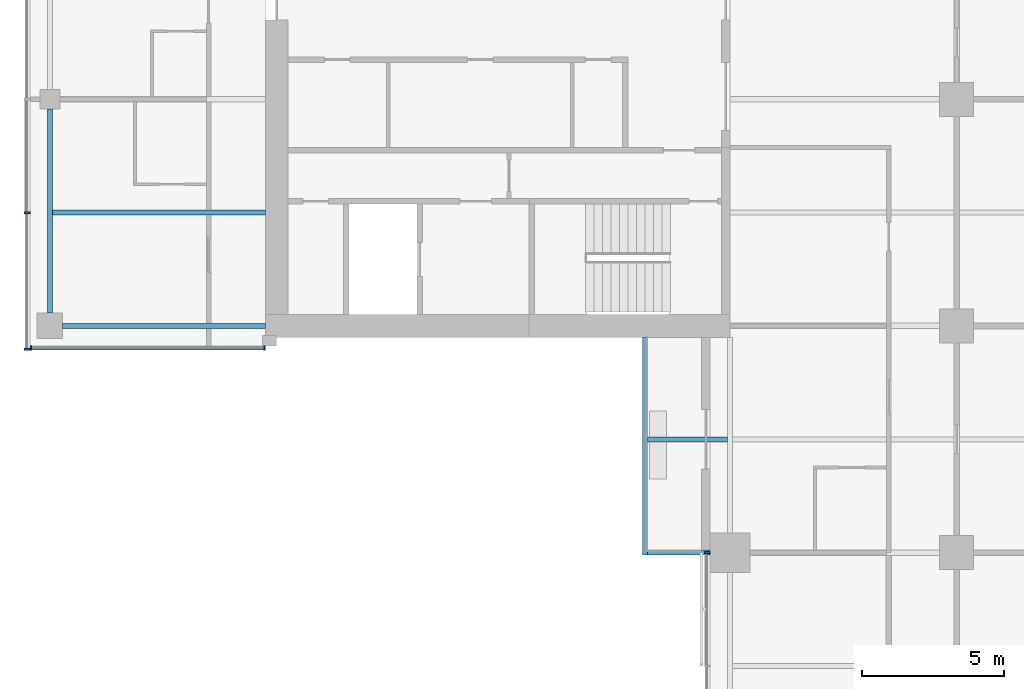
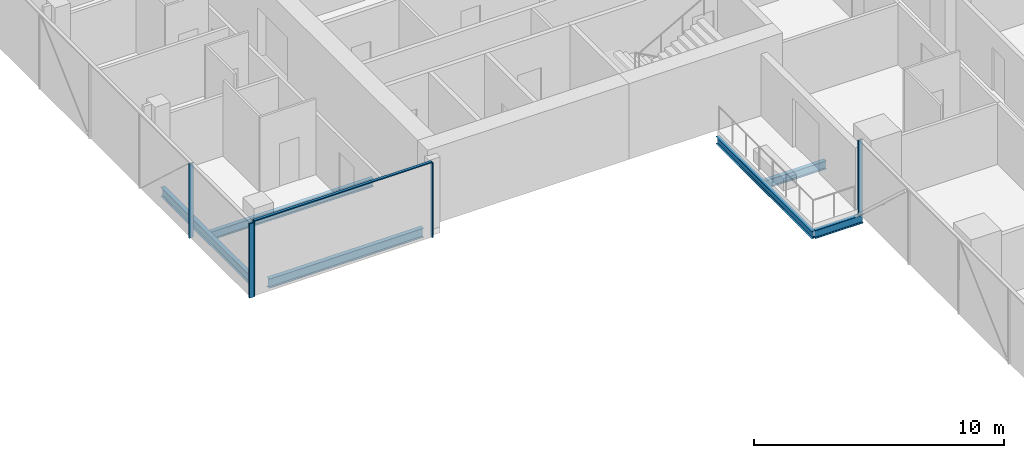
# One storey, part 3 of 27: 6 beams, 6 members, 3 elements without a shape of their own.
"""IFC4 building model written with IfcOpenShell, lengths in metres."""

from ifc_helpers import new_model, si_unit, direction, frame, origin, origin_2d, place, context, subcontext, project, spatial, rectangle, i_section, extrude, material, material_profile, profile_set, type_object, element, aggregate, save


model = new_model("IFC4")

# Units and contexts
model_context = context("Model", 3, precision=1e-05, world=origin(), true_north=direction((0.0, 1.0)))
body_context = subcontext(model_context, "Body", "Model", "MODEL_VIEW")
ifc_project = project(units=[si_unit("LENGTHUNIT", "METRE"), si_unit("AREAUNIT", "SQUARE_METRE"), si_unit("VOLUMEUNIT", "CUBIC_METRE"), si_unit("PLANEANGLEUNIT", "RADIAN"), si_unit("MASSUNIT", "GRAM", prefix="KILO")], contexts=[model_context])

# Site, building, storey
site_placement = place(None, origin())
site = spatial("IfcSite", under=ifc_project, at=site_placement, CompositionType="ELEMENT")
building_placement = place(site_placement, origin())
building = spatial("IfcBuilding", under=site, at=building_placement, Name="Crosswind Convention Tower", CompositionType="ELEMENT")
storey_placement = place(building_placement, frame((0.0, 0.0, 86.800048828125)))
storey = spatial("IfcBuildingStorey", under=building, at=storey_placement, Name="L16", CompositionType="ELEMENT", Elevation=86.800048828125)

# Beams
ifc_material_1 = material(Name="Steel S355", Category="steel")
ifc_material_profile_1 = material_profile(ifc_material_1, i_section(OverallWidth=0.177734375, OverallDepth=0.406494140625, WebThickness=0.0078125, FlangeThickness=0.0126953125, FilletRadius=0.01025390625, at=origin_2d()), Name="UB 406x178x60")
ifc_profile_set_1 = profile_set([ifc_material_profile_1], Name="Steel S355")
beam_type_1 = type_object("IfcBeamType", Name="Balcony cantilever UB 406x178x60", PredefinedType="BEAM", material=ifc_profile_set_1)
beam_1_placement = place(storey_placement, frame((112.90478515625, 84.0, -0.483154296875), z_axis=(-1.0, 0.0, 0.0), x_axis=(0.0, -1.0, 0.0)))
element("IfcBeam", 1, at=beam_1_placement, inside=storey, type_object=beam_type_1, Name="B35 L16 balcony cantilever SW 7", PredefinedType="BEAM", context=body_context, shape_type="SweptSolid", body=[
    extrude(i_section(OverallWidth=0.177734375, OverallDepth=0.406494140625, WebThickness=0.0078125, FlangeThickness=0.0126953125, FilletRadius=0.01025390625, at=origin_2d()), origin(), (0.0, 0.0, 1.0), 2.8193359375),
])
beam_2_placement = place(storey_placement, frame((112.300048828125, 80.0, -0.483154296875), z_axis=(-1.0, 0.0, 0.0), x_axis=(0.0, -1.0, 0.0)))
element("IfcBeam", 2, at=beam_2_placement, inside=storey, type_object=beam_type_1, Name="B35 L16 balcony cantilever SW 8", PredefinedType="BEAM", context=body_context, shape_type="SweptSolid", body=[
    extrude(i_section(OverallWidth=0.177734375, OverallDepth=0.406494140625, WebThickness=0.0078125, FlangeThickness=0.0126953125, FilletRadius=0.01025390625, at=origin_2d()), origin(), (0.0, 0.0, 1.0), 2.214599609375),
])
ifc_material_profile_2 = material_profile(ifc_material_1, i_section(OverallWidth=0.1708984375, OverallDepth=0.35205078125, WebThickness=0.0068359375, FlangeThickness=0.009765625, FilletRadius=0.01025390625, at=origin_2d()), Name="UB 356x171x45")
ifc_profile_set_2 = profile_set([ifc_material_profile_2], Name="Steel S355")
beam_type_2 = type_object("IfcBeamType", Name="Balcony edge beam UB 356x171x45", PredefinedType="BEAM", material=ifc_profile_set_2)
beam_3_placement = place(storey_placement, frame((110.0, 87.60009765625, -0.4560546875), z_axis=(0.0, -1.0, 0.0), x_axis=(1.0, 0.0, 0.0)))
element("IfcBeam", 3, at=beam_3_placement, inside=storey, type_object=beam_type_2, Name="B37 L16 balcony edge beam SW 9", PredefinedType="BEAM", context=body_context, shape_type="SweptSolid", body=[
    extrude(i_section(OverallWidth=0.1708984375, OverallDepth=0.35205078125, WebThickness=0.0068359375, FlangeThickness=0.009765625, FilletRadius=0.01025390625, at=origin_2d()), origin(), (0.0, 0.0, 1.0), 7.68896484375),
])
ifc_material_profile_3 = material_profile(ifc_material_1, i_section(OverallWidth=0.1904296875, OverallDepth=0.457275390625, WebThickness=0.009033203125, FlangeThickness=0.014404296875, FilletRadius=0.01025390625, at=origin_2d()), Name="UB 457x191x75")
ifc_profile_set_3 = profile_set([ifc_material_profile_3], Name="Steel S355")
beam_type_3 = type_object("IfcBeamType", Name="Edge beam UB 457x191x75", PredefinedType="SPANDREL", material=ifc_profile_set_3)
beam_4_placement = place(storey_placement, frame((89.0, 88.449951171875, -0.508544921875), z_axis=(0.0, 1.0, 0.0), x_axis=(-1.0, 0.0, 0.0)))
element("IfcBeam", 4, at=beam_4_placement, inside=storey, type_object=beam_type_3, Name="B17 L16 edge beam 1", PredefinedType="SPANDREL", context=body_context, shape_type="SweptSolid", body=[
    extrude(i_section(OverallWidth=0.1904296875, OverallDepth=0.457275390625, WebThickness=0.009033203125, FlangeThickness=0.014404296875, FilletRadius=0.01025390625, at=origin_2d()), origin(), (0.0, 0.0, 1.0), 7.199951171875),
])
beam_5_placement = place(storey_placement, frame((89.449951171875, 88.0, -0.508544921875), z_axis=(1.0, 0.0, 0.0), x_axis=(0.0, 1.0, 0.0)))
element("IfcBeam", 5, at=beam_5_placement, inside=storey, type_object=beam_type_3, Name="B17 L16 edge beam 4", PredefinedType="SPANDREL", context=body_context, shape_type="SweptSolid", body=[
    extrude(i_section(OverallWidth=0.1904296875, OverallDepth=0.457275390625, WebThickness=0.009033203125, FlangeThickness=0.014404296875, FilletRadius=0.01025390625, at=origin_2d()), origin(), (0.0, 0.0, 1.0), 7.150146484375),
])

# Curtain wall, members
ifc_material_2 = material(Name="Aluminium unitised curtain wall", Category="aluminium")
curtain_wall_type_1 = type_object("IfcCurtainWallType", Name="CORE END SLOT WALL 160", PredefinedType="USERDEFINED", material=ifc_material_2)
curtain_wall_1_placement = place(storey_placement, origin())
curtain_wall_1 = element("IfcCurtainWall", 6, at=curtain_wall_1_placement, inside=storey, type_object=curtain_wall_type_1, Name="CW6 L16 W-S.1-1 slot", ObjectType="UNITISED", PredefinedType="USERDEFINED")
ifc_material_3 = material(Name="Aluminium mullion", Category="aluminium")
ifc_material_profile_4 = material_profile(ifc_material_3, rectangle(XDim=0.159912109375, YDim=0.050048828125, at=origin_2d()), Name="AL 160X50")
ifc_profile_set_4 = profile_set([ifc_material_profile_4], Name="Aluminium mullion")
member_type_1 = type_object("IfcMemberType", Name="MULLION 50X160", PredefinedType="MULLION", material=ifc_profile_set_4)
member_1_placement = place(storey_placement, frame((88.324951171875, 87.219970703125, -0.280029296875), z_axis=(0.0, 0.0, 1.0), x_axis=(0.0, -1.0, 0.0)))
member_1 = element("IfcMember", 7, at=member_1_placement, type_object=member_type_1, Name="CW6 mullion 1", PredefinedType="MULLION", context=body_context, shape_type="SweptSolid", body=[
    extrude(rectangle(XDim=0.159912109375, YDim=0.050048828125, at=origin_2d()), origin(), (0.0, 0.0, 1.0), 3.64990234375),
])
member_2_placement = place(storey_placement, frame((96.574951171875, 87.219970703125, -0.280029296875), z_axis=(0.0, 0.0, 1.0), x_axis=(0.0, -1.0, 0.0)))
member_2 = element("IfcMember", 8, at=member_2_placement, type_object=member_type_1, Name="CW6 mullion 2", PredefinedType="MULLION", context=body_context, shape_type="SweptSolid", body=[
    extrude(rectangle(XDim=0.159912109375, YDim=0.050048828125, at=origin_2d()), origin(), (0.0, 0.0, 1.0), 3.64990234375),
])

curtain_wall_type_2 = type_object("IfcCurtainWallType", Name="HOTEL UNITISED WALL 200", PredefinedType="USERDEFINED", material=ifc_material_2)
curtain_wall_2_placement = place(storey_placement, origin())
curtain_wall_2 = element("IfcCurtainWall", 9, at=curtain_wall_2_placement, inside=storey, type_object=curtain_wall_type_2, Name="CW2 L16 W-TIP 1", ObjectType="UNITISED", PredefinedType="USERDEFINED")
ifc_material_profile_5 = material_profile(ifc_material_3, rectangle(XDim=0.199951171875, YDim=0.06494140625, at=origin_2d()), Name="AL 200X65")
ifc_profile_set_5 = profile_set([ifc_material_profile_5], Name="Aluminium mullion")
member_type_2 = type_object("IfcMemberType", Name="MULLION 65X200", PredefinedType="MULLION", material=ifc_profile_set_5)
member_3_placement = place(storey_placement, frame((88.199951171875, 92.0, -0.280029296875), z_axis=(0.0, 0.0, 1.0), x_axis=(-1.0, 0.0, 0.0)))
member_3 = element("IfcMember", 10, at=member_3_placement, type_object=member_type_2, Name="CW2 mullion 6", PredefinedType="MULLION", context=body_context, shape_type="SweptSolid", body=[
    extrude(rectangle(XDim=0.199951171875, YDim=0.06494140625, at=origin_2d()), origin(), (0.0, 0.0, 1.0), 3.635009765625),
])
member_4_placement = place(storey_placement, frame((88.199951171875, 87.172607421875, -0.280029296875), z_axis=(0.0, 0.0, 1.0), x_axis=(-1.0, 0.0, 0.0)))
member_4 = element("IfcMember", 11, at=member_4_placement, type_object=member_type_2, Name="CW2 mullion 7", PredefinedType="MULLION", context=body_context, shape_type="SweptSolid", body=[
    extrude(rectangle(XDim=0.199951171875, YDim=0.06494140625, at=origin_2d()), origin(), (0.0, 0.0, 1.0), 3.635009765625),
])
aggregate(curtain_wall_2, [member_3, member_4])

# Curtain wall, member
curtain_wall_3_placement = place(storey_placement, origin())
curtain_wall_3 = element("IfcCurtainWall", 12, at=curtain_wall_3_placement, inside=storey, type_object=curtain_wall_type_2, Name="CW2 L16 S-W 1", ObjectType="UNITISED", PredefinedType="USERDEFINED")
member_5_placement = place(storey_placement, frame((112.199951171875, 80.0, -0.280029296875), z_axis=(0.0, 0.0, 1.0), x_axis=(-1.0, 0.0, 0.0)))
member_5 = element("IfcMember", 13, at=member_5_placement, type_object=member_type_2, Name="CW2 mullion 1", PredefinedType="MULLION", context=body_context, shape_type="SweptSolid", body=[
    extrude(rectangle(XDim=0.199951171875, YDim=0.06494140625, at=origin_2d()), origin(), (0.0, 0.0, 1.0), 3.635009765625),
])
aggregate(curtain_wall_3, [member_5])

# Beam
ifc_material_profile_6 = material_profile(ifc_material_1, i_section(OverallWidth=0.177734375, OverallDepth=0.406494140625, WebThickness=0.0078125, FlangeThickness=0.0126953125, FilletRadius=0.01025390625, at=origin_2d()), Name="UB 406x178x60")
ifc_profile_set_6 = profile_set([ifc_material_profile_6], Name="Steel S355")
beam_type_4 = type_object("IfcBeamType", Name="Secondary beam UB 406x178x60", PredefinedType="JOIST", material=ifc_profile_set_6)
beam_6_placement = place(storey_placement, frame((89.09521484375, 92.0, -0.483154296875), z_axis=(1.0, 0.0, 0.0), x_axis=(0.0, 1.0, 0.0)))
element("IfcBeam", 14, at=beam_6_placement, inside=storey, type_object=beam_type_4, Name="B10 L16 secondary beam 1", PredefinedType="JOIST", context=body_context, shape_type="SweptSolid", body=[
    extrude(i_section(OverallWidth=0.177734375, OverallDepth=0.406494140625, WebThickness=0.0078125, FlangeThickness=0.0126953125, FilletRadius=0.01025390625, at=origin_2d()), origin(), (0.0, 0.0, 1.0), 7.5048828125),
])

# Member
ifc_material_4 = material(Name="Aluminium transom", Category="aluminium")
ifc_material_profile_7 = material_profile(ifc_material_4, rectangle(XDim=0.1201171875, YDim=0.050048828125, at=origin_2d()), Name="AL 120X50")
ifc_profile_set_7 = profile_set([ifc_material_profile_7], Name="Aluminium transom")
member_type_3 = type_object("IfcMemberType", Name="TRANSOM 50X120", PredefinedType="USERDEFINED", material=ifc_profile_set_7)
member_6_placement = place(storey_placement, frame((88.35009765625, 87.219970703125, 3.39501953125), z_axis=(1.0, 0.0, 0.0), x_axis=(0.0, 1.0, 0.0)))
member_6 = element("IfcMember", 15, at=member_6_placement, type_object=member_type_3, Name="CW6 transom", ObjectType="TRANSOM", PredefinedType="USERDEFINED", context=body_context, shape_type="SweptSolid", body=[
    extrude(rectangle(XDim=0.1201171875, YDim=0.050048828125, at=origin_2d()), origin(), (0.0, 0.0, 1.0), 8.199951171875),
])

aggregate(curtain_wall_1, [member_1, member_2, member_6])

save(model, "model.ifc")
